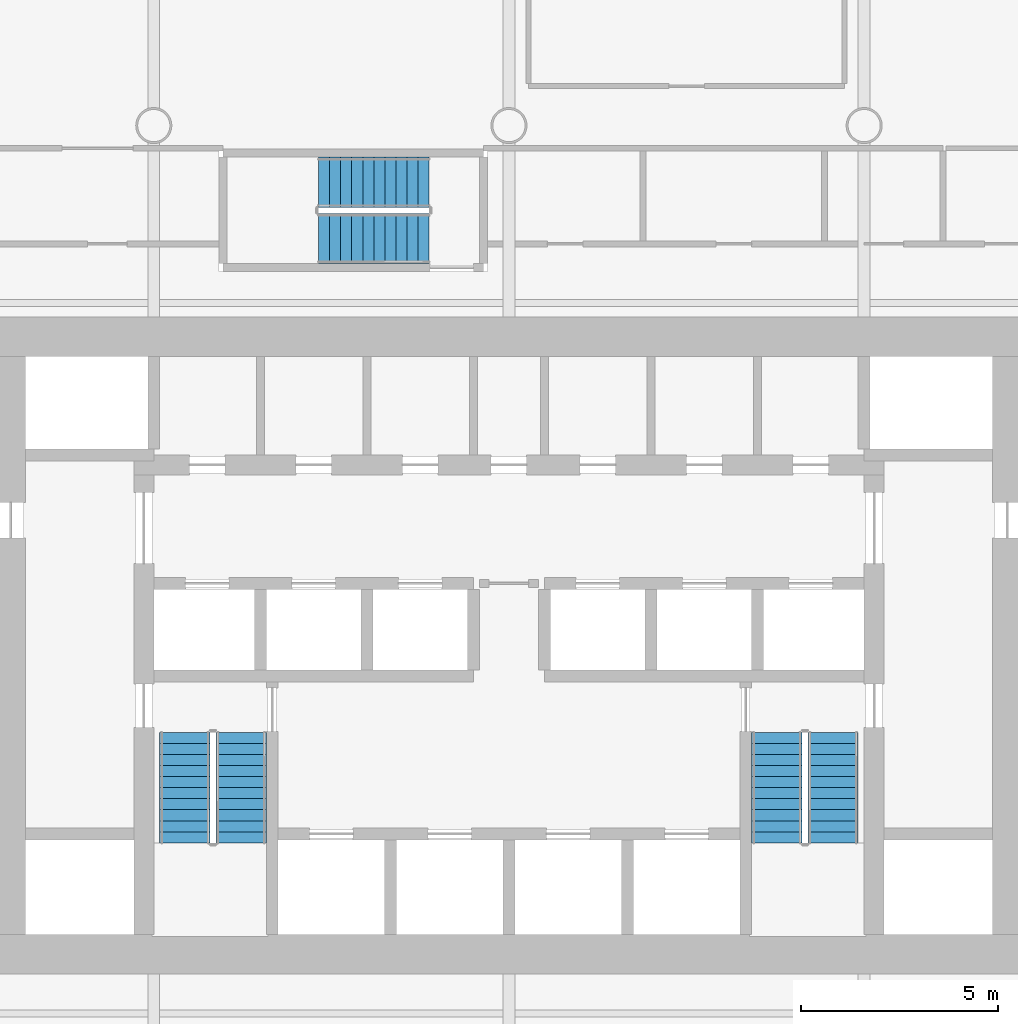
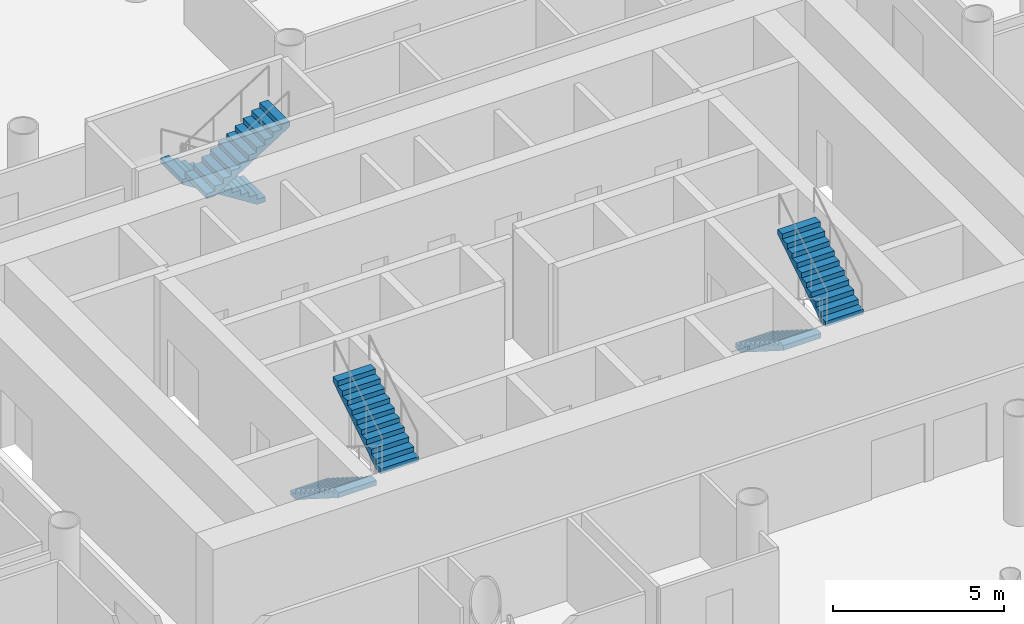
# One storey, part 15 of 20: 6 stair flights, 3 elements without a shape of their own.
"""IFC4 building model written with IfcOpenShell, lengths in metres."""

import ifcopenshell
import ifcopenshell.guid

model = None  # the IFC model being written
_history = None  # IfcOwnerHistory: only IFC2X3 demands one
_inside = {}  # id of a spatial element -> (the spatial element, [elements in it])
_under = {}  # id of a project, library or spatial element -> (it, [spatial elements below it])
_declared = {}  # id of a project -> (the project, [libraries it declares])
_typed = {}  # id of a type object -> (the type object, [elements of that type])
_made_of = {}  # id of a material, layer set ... -> (it, [elements and type objects made of it])


def new_model(schema):
    """Start an empty IFC model of exactly this schema.

    Asked for "IFC4X3", IfcOpenShell would pick the latest addendum, in which some entities
    have other attributes; the version numbers below select the first issue.
    IFC2X3 requires an IfcOwnerHistory on every rooted entity: one is made here for all.
    """
    global model, _history
    if schema == "IFC4X3":
        model = ifcopenshell.file(schema_version=(4, 3, 0, 0))
    else:
        model = ifcopenshell.file(schema=schema)
    _inside.clear()
    _under.clear()
    _declared.clear()
    _typed.clear()
    _made_of.clear()
    _history = None
    if model.schema == "IFC2X3":
        org = make("IfcOrganization", Name="unknown")
        user = make(
            "IfcPersonAndOrganization",
            ThePerson=make("IfcPerson", FamilyName="unknown"),
            TheOrganization=org,
        )
        app = make(
            "IfcApplication",
            ApplicationDeveloper=org,
            Version="unknown",
            ApplicationFullName="unknown",
            ApplicationIdentifier="unknown",
        )
        _history = make(
            "IfcOwnerHistory",
            OwningUser=user,
            OwningApplication=app,
            ChangeAction="ADDED",
            CreationDate=0,
        )
    return model


def make(cls, **values):
    """One entity of the class cls with the attributes given. An attribute that is None is left unset."""
    return model.create_entity(
        cls, **{name: value for name, value in values.items() if value is not None}
    )


def rooted(cls, **values):
    """An entity with a GlobalId (a new one), such as an element, a storey or a relation."""
    return make(cls, GlobalId=ifcopenshell.guid.new(), OwnerHistory=_history, **values)


def si_unit(unit_type, name, prefix=None):
    """IfcSIUnit, for example si_unit("LENGTHUNIT", "METRE", prefix="MILLI")."""
    return make("IfcSIUnit", UnitType=unit_type, Prefix=prefix, Name=name)


def assignment(units):
    """IfcUnitAssignment: the units of a project."""
    return None if units is None else make("IfcUnitAssignment", Units=units)


def point(xyz):
    """IfcCartesianPoint."""
    return None if xyz is None else make("IfcCartesianPoint", Coordinates=xyz)


def direction(xyz):
    """IfcDirection."""
    return None if xyz is None else make("IfcDirection", DirectionRatios=xyz)


def frame(location, z_axis=None, x_axis=None):
    """IfcAxis2Placement3D, a coordinate frame: its origin and axes. An axis left out is left unset."""
    return make(
        "IfcAxis2Placement3D",
        Location=point(location),
        Axis=direction(z_axis),
        RefDirection=direction(x_axis),
    )


def origin():
    """The frame at (0, 0, 0) with its axes left unset."""
    return frame((0.0, 0.0, 0.0))


def place(relative_to, where):
    """IfcLocalPlacement: puts the frame where relative to a parent placement (None: the world)."""
    return make(
        "IfcLocalPlacement", PlacementRelTo=relative_to, RelativePlacement=where
    )


def context(
    kind, dimensions, precision=None, world=None, true_north=None, identifier=None
):
    """IfcGeometricRepresentationContext, for example the 3D "Model" context."""
    return make(
        "IfcGeometricRepresentationContext",
        ContextIdentifier=identifier,
        ContextType=kind,
        CoordinateSpaceDimension=dimensions,
        Precision=precision,
        WorldCoordinateSystem=world,
        TrueNorth=true_north,
    )


def subcontext(parent, identifier, kind, view, scale=None):
    """IfcGeometricRepresentationSubContext, for example "Body" below "Model"."""
    return make(
        "IfcGeometricRepresentationSubContext",
        ContextIdentifier=identifier,
        ContextType=kind,
        ParentContext=parent,
        TargetScale=scale,
        TargetView=view,
    )


def project(units=None, contexts=None):
    """IfcProject with its units and contexts."""
    return rooted(
        "IfcProject",
        Name="project",
        RepresentationContexts=contexts,
        UnitsInContext=assignment(units),
    )


def spatial(cls, under=None, at=None, **own):
    """A site, building, storey or space (cls), placed at a placement, below another one or the project."""
    s = rooted(cls, ObjectPlacement=at, **own)
    if under is not None:
        _under.setdefault(under.id(), (under, []))[1].append(s)
    return s


def polyline(points):
    """IfcPolyline through the points."""
    return make("IfcPolyline", Points=[point(p) for p in points])


def outline(outer, holes=None, kind="AREA"):
    """IfcArbitraryClosedProfileDef: a profile drawn as a closed curve; with holes, ...WithVoids."""
    if holes is None:
        return make("IfcArbitraryClosedProfileDef", ProfileType=kind, OuterCurve=outer)
    return make(
        "IfcArbitraryProfileDefWithVoids",
        ProfileType=kind,
        OuterCurve=outer,
        InnerCurves=holes,
    )


def extrude(swept, where, along, depth):
    """IfcExtrudedAreaSolid: the profile swept, set in the frame where, extruded along a direction by depth."""
    return make(
        "IfcExtrudedAreaSolid",
        SweptArea=swept,
        Position=where,
        ExtrudedDirection=direction(along),
        Depth=depth,
    )


def shape(context_of_items, identifier, shape_type, items):
    """IfcShapeRepresentation: the items that make up one representation, for example the "Body"."""
    return make(
        "IfcShapeRepresentation",
        ContextOfItems=context_of_items,
        RepresentationIdentifier=identifier,
        RepresentationType=shape_type,
        Items=items,
    )


def material(Name=None, Category=None):
    """IfcMaterial."""
    return make("IfcMaterial", Name=Name, Category=Category)


def made_of(thing, what):
    """Note that an element or type object is made of a material, layer set ...; save() writes the relation."""
    if what is not None:
        _made_of.setdefault(what.id(), (what, []))[1].append(thing)
    return thing


def type_object(cls, material=None, **own):
    """A type object (cls), such as IfcWallType, which elements share."""
    return made_of(rooted(cls, **own), material)


def element(
    cls,
    number,
    at=None,
    inside=None,
    cuts=None,
    type_object=None,
    material=None,
    context=None,
    identifier="Body",
    shape_type=None,
    held_by="IfcProductDefinitionShape",
    body=None,
    shapes=None,
    **own,
):
    """One element of the class cls, such as IfcWall. Its Tag is "e" and its number.

    at: its placement. inside: the storey or other place that contains it. cuts: it is an
    opening in that element (IfcRelVoidsElement). A single representation is given by context,
    identifier, shape_type and body (its items); several are given by shapes. held_by: the class
    of the entity that holds the representations. save() writes the other relations.
    """
    e = rooted(cls, Tag="e%d" % number, ObjectPlacement=at, **own)
    if body is not None:
        shapes = [shape(context, identifier, shape_type, body)]
    if shapes is not None:
        e.Representation = make(held_by, Representations=shapes)
    if inside is not None:
        _inside.setdefault(inside.id(), (inside, []))[1].append(e)
    if cuts is not None:
        rooted(
            "IfcRelVoidsElement", RelatingBuildingElement=cuts, RelatedOpeningElement=e
        )
    if type_object is not None:
        _typed.setdefault(type_object.id(), (type_object, []))[1].append(e)
    return made_of(e, material)


def aggregate(whole, parts):
    """IfcRelAggregates: a whole, such as a stair, and the parts it consists of."""
    return rooted("IfcRelAggregates", RelatingObject=whole, RelatedObjects=parts)


def save(model, path):
    """Write the relations noted so far, then the file.

    IfcRelAggregates (storeys below a building ...), IfcRelContainedInSpatialStructure (elements
    in a storey), IfcRelDefinesByType, IfcRelAssociatesMaterial and IfcRelDeclares: one each for
    every whole, place, type object, material and project.
    """
    for whole, parts in _under.values():
        aggregate(whole, parts)
    for where, things in _inside.values():
        rooted(
            "IfcRelContainedInSpatialStructure",
            RelatedElements=things,
            RelatingStructure=where,
        )
    for kind, things in _typed.values():
        rooted("IfcRelDefinesByType", RelatedObjects=things, RelatingType=kind)
    for what, things in _made_of.values():
        rooted("IfcRelAssociatesMaterial", RelatedObjects=things, RelatingMaterial=what)
    for by, libraries in _declared.values():
        rooted("IfcRelDeclares", RelatingContext=by, RelatedDefinitions=libraries)
    model.write(path)


model = new_model("IFC4")

# Units and contexts
model_context = context("Model", 3, precision=1e-05, world=origin(), true_north=direction((0.0, 1.0)))
body_context = subcontext(model_context, "Body", "Model", "MODEL_VIEW")
ifc_project = project(units=[si_unit("LENGTHUNIT", "METRE"), si_unit("AREAUNIT", "SQUARE_METRE"), si_unit("VOLUMEUNIT", "CUBIC_METRE"), si_unit("PLANEANGLEUNIT", "RADIAN"), si_unit("MASSUNIT", "GRAM", prefix="KILO")], contexts=[model_context])

# Site, building, storey
site_placement = place(None, origin())
site = spatial("IfcSite", under=ifc_project, at=site_placement, CompositionType="ELEMENT")
building_placement = place(site_placement, origin())
building = spatial("IfcBuilding", under=site, at=building_placement, Name="Tskaro Facet Tower", CompositionType="ELEMENT")
storey_placement = place(building_placement, frame((0.0, 0.0, 49.800048828125)))
storey = spatial("IfcBuildingStorey", under=building, at=storey_placement, Name="L11", CompositionType="ELEMENT", Elevation=49.800048828125)

# Stair, stair flights
ifc_material = material(Name="Concrete C40/50", Category="concrete")
stair_type = type_object("IfcStairType", Name="ST-TWR", PredefinedType="HALF_TURN_STAIR", material=ifc_material)
stair_1_placement = place(storey_placement, origin())
stair_1 = element("IfcStair", 1, at=stair_1_placement, inside=storey, type_object=stair_type, Name="L11 Exit stair 1", PredefinedType="HALF_TURN_STAIR")
stair_flight_type = type_object("IfcStairFlightType", Name="SFL-RC", PredefinedType="STRAIGHT", material=ifc_material)
stair_flight_1_placement = place(storey_placement, frame((-8.21240234375, -6.375, 0.0), z_axis=(0.0, 0.0, 1.0), x_axis=(0.0, -1.0, 0.0)))
stair_flight_1 = element("IfcStairFlight", 2, at=stair_flight_1_placement, type_object=stair_flight_type, Name="ST-1 flight 1", NumberOfRisers=11, NumberOfTreads=10, PredefinedType="STRAIGHT", RiserHeight=0.177272727, TreadLength=0.28, context=body_context, shape_type="SweptSolid", body=[
    extrude(outline(polyline([(0.0, 0.0), (0.0, 0.17724609375), (0.280029296875, 0.17724609375), (0.280029296875, 0.3544921875), (0.56005859375, 0.3544921875), (0.56005859375, 0.53173828125), (0.840087890625, 0.53173828125), (0.840087890625, 0.708984375), (1.1201171875, 0.708984375), (1.1201171875, 0.886474609375), (1.39990234375, 0.886474609375), (1.39990234375, 1.063720703125), (1.679931640625, 1.063720703125), (1.679931640625, 1.240966796875), (1.9599609375, 1.240966796875), (1.9599609375, 1.418212890625), (2.239990234375, 1.418212890625), (2.239990234375, 1.595458984375), (2.52001953125, 1.595458984375), (2.52001953125, 1.772705078125), (2.800048828125, 1.772705078125), (2.800048828125, 1.949951171875), (2.800048828125, 1.59521484375), (0.2802734375, 0.0), (0.0, 0.0)])), frame((0.0, 0.637451171875, 0.0), z_axis=(0.0, -1.0, 0.0), x_axis=(1.0, 0.0, 0.0)), (0.0, 0.0, 1.0), 1.27490234375),
])
stair_flight_2_placement = place(storey_placement, frame((-6.78759765625, -9.175048828125, 1.949951171875), z_axis=(0.0, 0.0, 1.0), x_axis=(0.0, 1.0, 0.0)))
stair_flight_2 = element("IfcStairFlight", 3, at=stair_flight_2_placement, type_object=stair_flight_type, Name="ST-1 flight 2", NumberOfRisers=11, NumberOfTreads=10, PredefinedType="STRAIGHT", RiserHeight=0.177272727, TreadLength=0.28, context=body_context, shape_type="SweptSolid", body=[
    extrude(outline(polyline([(0.0, 0.0), (0.0, 0.17724609375), (0.280029296875, 0.17724609375), (0.280029296875, 0.3544921875), (0.56005859375, 0.3544921875), (0.56005859375, 0.53173828125), (0.840087890625, 0.53173828125), (0.840087890625, 0.708984375), (1.1201171875, 0.708984375), (1.1201171875, 0.886474609375), (1.39990234375, 0.886474609375), (1.39990234375, 1.063720703125), (1.679931640625, 1.063720703125), (1.679931640625, 1.240966796875), (1.9599609375, 1.240966796875), (1.9599609375, 1.418212890625), (2.239990234375, 1.418212890625), (2.239990234375, 1.595458984375), (2.52001953125, 1.595458984375), (2.52001953125, 1.772705078125), (2.800048828125, 1.772705078125), (2.800048828125, 1.949951171875), (2.800048828125, 1.59521484375), (0.2802734375, 0.0), (0.0, 0.0)])), frame((0.0, 0.637451171875, 0.0), z_axis=(0.0, -1.0, 0.0), x_axis=(1.0, 0.0, 0.0)), (0.0, 0.0, 1.0), 1.27490234375),
])
aggregate(stair_1, [stair_flight_1, stair_flight_2])

stair_2_placement = place(storey_placement, origin())
stair_2 = element("IfcStair", 4, at=stair_2_placement, inside=storey, type_object=stair_type, Name="L11 Exit stair 2", PredefinedType="HALF_TURN_STAIR")
stair_flight_3_placement = place(storey_placement, frame((6.78759765625, -6.375, 0.0), z_axis=(0.0, 0.0, 1.0), x_axis=(0.0, -1.0, 0.0)))
stair_flight_3 = element("IfcStairFlight", 5, at=stair_flight_3_placement, type_object=stair_flight_type, Name="ST-2 flight 1", NumberOfRisers=11, NumberOfTreads=10, PredefinedType="STRAIGHT", RiserHeight=0.177272727, TreadLength=0.28, context=body_context, shape_type="SweptSolid", body=[
    extrude(outline(polyline([(0.0, 0.0), (0.0, 0.17724609375), (0.280029296875, 0.17724609375), (0.280029296875, 0.3544921875), (0.56005859375, 0.3544921875), (0.56005859375, 0.53173828125), (0.840087890625, 0.53173828125), (0.840087890625, 0.708984375), (1.1201171875, 0.708984375), (1.1201171875, 0.886474609375), (1.39990234375, 0.886474609375), (1.39990234375, 1.063720703125), (1.679931640625, 1.063720703125), (1.679931640625, 1.240966796875), (1.9599609375, 1.240966796875), (1.9599609375, 1.418212890625), (2.239990234375, 1.418212890625), (2.239990234375, 1.595458984375), (2.52001953125, 1.595458984375), (2.52001953125, 1.772705078125), (2.800048828125, 1.772705078125), (2.800048828125, 1.949951171875), (2.800048828125, 1.59521484375), (0.2802734375, 0.0), (0.0, 0.0)])), frame((0.0, 0.637451171875, 0.0), z_axis=(0.0, -1.0, 0.0), x_axis=(1.0, 0.0, 0.0)), (0.0, 0.0, 1.0), 1.27490234375),
])
stair_flight_4_placement = place(storey_placement, frame((8.21240234375, -9.175048828125, 1.949951171875), z_axis=(0.0, 0.0, 1.0), x_axis=(0.0, 1.0, 0.0)))
stair_flight_4 = element("IfcStairFlight", 6, at=stair_flight_4_placement, type_object=stair_flight_type, Name="ST-2 flight 2", NumberOfRisers=11, NumberOfTreads=10, PredefinedType="STRAIGHT", RiserHeight=0.177272727, TreadLength=0.28, context=body_context, shape_type="SweptSolid", body=[
    extrude(outline(polyline([(0.0, 0.0), (0.0, 0.17724609375), (0.280029296875, 0.17724609375), (0.280029296875, 0.3544921875), (0.56005859375, 0.3544921875), (0.56005859375, 0.53173828125), (0.840087890625, 0.53173828125), (0.840087890625, 0.708984375), (1.1201171875, 0.708984375), (1.1201171875, 0.886474609375), (1.39990234375, 0.886474609375), (1.39990234375, 1.063720703125), (1.679931640625, 1.063720703125), (1.679931640625, 1.240966796875), (1.9599609375, 1.240966796875), (1.9599609375, 1.418212890625), (2.239990234375, 1.418212890625), (2.239990234375, 1.595458984375), (2.52001953125, 1.595458984375), (2.52001953125, 1.772705078125), (2.800048828125, 1.772705078125), (2.800048828125, 1.949951171875), (2.800048828125, 1.59521484375), (0.2802734375, 0.0), (0.0, 0.0)])), frame((0.0, 0.637451171875, 0.0), z_axis=(0.0, -1.0, 0.0), x_axis=(1.0, 0.0, 0.0)), (0.0, 0.0, 1.0), 1.27490234375),
])
aggregate(stair_2, [stair_flight_3, stair_flight_4])

stair_3_placement = place(storey_placement, origin())
stair_3 = element("IfcStair", 7, at=stair_3_placement, inside=storey, type_object=stair_type, Name="L11 Exit stair 3", PredefinedType="HALF_TURN_STAIR")
stair_flight_5_placement = place(storey_placement, frame((-2.02490234375, 7.5625, 0.0), z_axis=(0.0, 0.0, 1.0), x_axis=(-1.0, 0.0, 0.0)))
stair_flight_5 = element("IfcStairFlight", 8, at=stair_flight_5_placement, type_object=stair_flight_type, Name="ST-3 flight 1", NumberOfRisers=11, NumberOfTreads=10, PredefinedType="STRAIGHT", RiserHeight=0.177272727, TreadLength=0.28, context=body_context, shape_type="SweptSolid", body=[
    extrude(outline(polyline([(0.0, 0.0), (0.0, 0.17724609375), (0.280029296875, 0.17724609375), (0.280029296875, 0.3544921875), (0.56005859375, 0.3544921875), (0.56005859375, 0.53173828125), (0.840087890625, 0.53173828125), (0.840087890625, 0.708984375), (1.1201171875, 0.708984375), (1.1201171875, 0.886474609375), (1.39990234375, 0.886474609375), (1.39990234375, 1.063720703125), (1.679931640625, 1.063720703125), (1.679931640625, 1.240966796875), (1.9599609375, 1.240966796875), (1.9599609375, 1.418212890625), (2.239990234375, 1.418212890625), (2.239990234375, 1.595458984375), (2.52001953125, 1.595458984375), (2.52001953125, 1.772705078125), (2.800048828125, 1.772705078125), (2.800048828125, 1.949951171875), (2.800048828125, 1.59521484375), (0.2802734375, 0.0), (0.0, 0.0)])), frame((0.0, 0.637451171875, 0.0), z_axis=(0.0, -1.0, 0.0), x_axis=(1.0, 0.0, 0.0)), (0.0, 0.0, 1.0), 1.27490234375),
])
stair_flight_6_placement = place(storey_placement, frame((-4.824951171875, 6.137451171875, 1.949951171875), z_axis=(0.0, 0.0, 1.0), x_axis=(1.0, 0.0, 0.0)))
stair_flight_6 = element("IfcStairFlight", 9, at=stair_flight_6_placement, type_object=stair_flight_type, Name="ST-3 flight 2", NumberOfRisers=11, NumberOfTreads=10, PredefinedType="STRAIGHT", RiserHeight=0.177272727, TreadLength=0.28, context=body_context, shape_type="SweptSolid", body=[
    extrude(outline(polyline([(0.0, 0.0), (0.0, 0.17724609375), (0.280029296875, 0.17724609375), (0.280029296875, 0.3544921875), (0.56005859375, 0.3544921875), (0.56005859375, 0.53173828125), (0.840087890625, 0.53173828125), (0.840087890625, 0.708984375), (1.1201171875, 0.708984375), (1.1201171875, 0.886474609375), (1.39990234375, 0.886474609375), (1.39990234375, 1.063720703125), (1.679931640625, 1.063720703125), (1.679931640625, 1.240966796875), (1.9599609375, 1.240966796875), (1.9599609375, 1.418212890625), (2.239990234375, 1.418212890625), (2.239990234375, 1.595458984375), (2.52001953125, 1.595458984375), (2.52001953125, 1.772705078125), (2.800048828125, 1.772705078125), (2.800048828125, 1.949951171875), (2.800048828125, 1.59521484375), (0.2802734375, 0.0), (0.0, 0.0)])), frame((0.0, 0.637451171875, 0.0), z_axis=(0.0, -1.0, 0.0), x_axis=(1.0, 0.0, 0.0)), (0.0, 0.0, 1.0), 1.27490234375),
])
aggregate(stair_3, [stair_flight_5, stair_flight_6])

save(model, "model.ifc")
